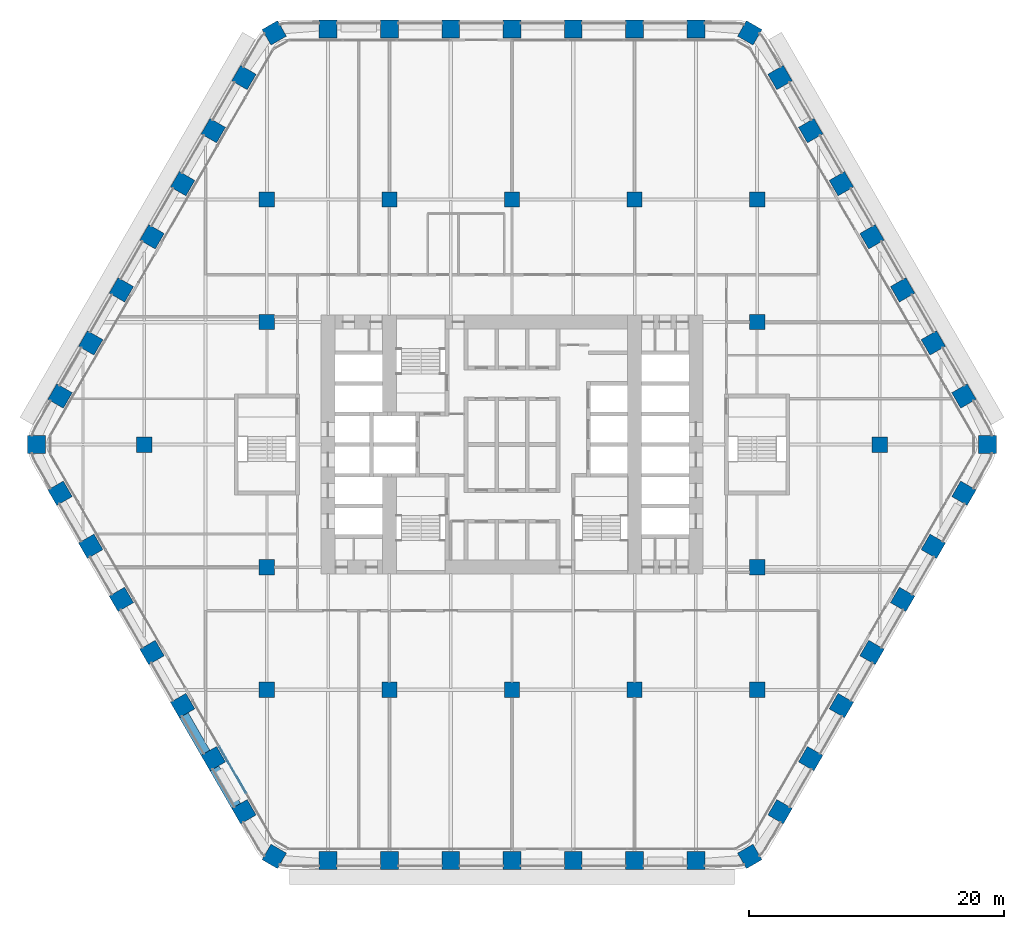
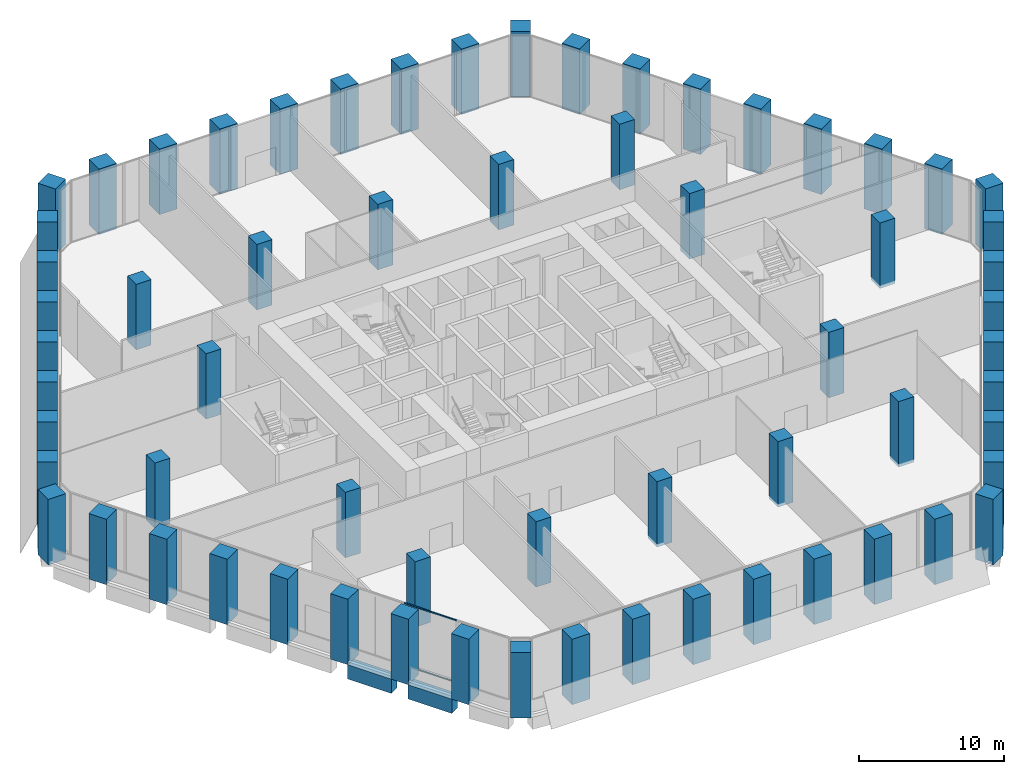
# One storey, part 1 of 27: 64 columns, 2 beams, 2 members, 1 element without a shape of its own.
"""IFC4 building model written with IfcOpenShell, lengths in metres."""

from ifc_helpers import new_model, si_unit, direction, frame, origin, origin_2d, place, context, subcontext, project, spatial, rectangle, extrude, material, material_profile, profile_set, type_object, element, aggregate, save


model = new_model("IFC4")

# Units and contexts
model_context = context("Model", 3, precision=1e-05, world=origin(), true_north=direction((0.0, 1.0)))
body_context = subcontext(model_context, "Body", "Model", "MODEL_VIEW")
ifc_project = project(units=[si_unit("LENGTHUNIT", "METRE"), si_unit("AREAUNIT", "SQUARE_METRE"), si_unit("VOLUMEUNIT", "CUBIC_METRE"), si_unit("PLANEANGLEUNIT", "RADIAN"), si_unit("MASSUNIT", "GRAM", prefix="KILO")], contexts=[model_context])

# Site, building, storey
site_placement = place(None, origin())
site = spatial("IfcSite", under=ifc_project, at=site_placement, CompositionType="ELEMENT")
building_placement = place(site_placement, origin())
building = spatial("IfcBuilding", under=site, at=building_placement, Name="Kolab Exchange Tower", CompositionType="ELEMENT")
storey_placement = place(building_placement, frame((0.0, 0.0, 49.89990234375)))
storey = spatial("IfcBuildingStorey", under=building, at=storey_placement, Name="L09", CompositionType="ELEMENT", Elevation=49.89990234375)

# Columns
ifc_material_1 = material(Name="Concrete C80/95", Category="concrete")
ifc_material_profile_1 = material_profile(ifc_material_1, rectangle(XDim=1.199951171875, YDim=1.199951171875, at=origin_2d()), Name="RC1200")
ifc_profile_set_1 = profile_set([ifc_material_profile_1], Name="Concrete C80/95")
column_type_1 = type_object("IfcColumnType", Name="INTERIOR COLUMN 1200 SQ C80/95", PredefinedType="COLUMN", material=ifc_profile_set_1)
for number, where, z_axis, x_axis, name in (
    (1, (-28.800048828125, 0.0, -0.25), (0.0, 0.0, 1.0), (1.0, 0.0, 0.0), "col/L09/I-G11"),
    (2, (-19.199951171875, -19.199951171875, -0.25), (0.0, 0.0, 1.0), (1.0, 0.0, 0.0), "col/L09/I-I7"),
    (3, (-19.199951171875, -9.60009765625, -0.25), (0.0, 0.0, 1.0), (1.0, 0.0, 0.0), "col/L09/I-I9"),
    (4, (-19.199951171875, 9.60009765625, -0.25), (0.0, 0.0, 1.0), (1.0, 0.0, 0.0), "col/L09/I-I13"),
    (5, (-19.199951171875, 19.199951171875, -0.25), (0.0, 0.0, 1.0), (1.0, 0.0, 0.0), "col/L09/I-I15"),
    (6, (-9.60009765625, -19.199951171875, -0.25), (0.0, 0.0, 1.0), (1.0, 0.0, 0.0), "col/L09/I-K7"),
    (7, (-9.60009765625, 19.199951171875, -0.25), (0.0, 0.0, 1.0), (1.0, 0.0, 0.0), "col/L09/I-K15"),
    (8, (0.0, -19.199951171875, -0.25), (0.0, 0.0, 1.0), (1.0, 0.0, 0.0), "col/L09/I-M7"),
    (9, (0.0, 19.199951171875, -0.25), (0.0, 0.0, 1.0), (1.0, 0.0, 0.0), "col/L09/I-M15"),
    (10, (9.60009765625, -19.199951171875, -0.25), (0.0, 0.0, 1.0), (1.0, 0.0, 0.0), "col/L09/I-O7"),
    (11, (9.60009765625, 19.199951171875, -0.25), (0.0, 0.0, 1.0), (1.0, 0.0, 0.0), "col/L09/I-O15"),
    (12, (19.199951171875, -19.199951171875, -0.25), (0.0, 0.0, 1.0), (1.0, 0.0, 0.0), "col/L09/I-Q7"),
    (13, (19.199951171875, -9.60009765625, -0.25), (0.0, 0.0, 1.0), (1.0, 0.0, 0.0), "col/L09/I-Q9"),
    (14, (19.199951171875, 9.60009765625, -0.25), (0.0, 0.0, 1.0), (1.0, 0.0, 0.0), "col/L09/I-Q13"),
    (15, (19.199951171875, 19.199951171875, -0.25), (0.0, 0.0, 1.0), (1.0, 0.0, 0.0), "col/L09/I-Q15"),
    (16, (28.800048828125, 0.0, -0.25), (0.0, 0.0, 1.0), (1.0, 0.0, 0.0), "col/L09/I-S11"),
):
    element("IfcColumn", number, at=place(storey_placement, frame(where, z_axis=z_axis, x_axis=x_axis)), inside=storey, type_object=column_type_1, Name=name, PredefinedType="COLUMN", context=body_context, shape_type="SweptSolid", body=[
        extrude(rectangle(XDim=1.199951171875, YDim=1.199951171875, at=origin_2d()), origin(), (0.0, 0.0, 1.0), 5.5),
    ])
ifc_material_profile_2 = material_profile(ifc_material_1, rectangle(XDim=1.39990234375, YDim=1.39990234375, at=origin_2d()), Name="RC1400")
ifc_profile_set_2 = profile_set([ifc_material_profile_2], Name="Concrete C80/95")
column_type_2 = type_object("IfcColumnType", Name="PERIMETER COLUMN 1400 SQ C80/95", PredefinedType="COLUMN", material=ifc_profile_set_2)
for number, where, z_axis, x_axis, name in (
    (17, (-18.617919921875, 32.247314453125, -0.25), (0.0, 0.0, 1.0), (0.866025403784, 0.5, 0.0), "col/L09/F1-01"),
    (18, (-14.39990234375, 32.555419921875, -0.25), (0.0, 0.0, 1.0), (1.0, 0.0, 0.0), "col/L09/F1-02"),
    (19, (-9.60009765625, 32.555419921875, -0.25), (0.0, 0.0, 1.0), (1.0, 0.0, 0.0), "col/L09/F1-03"),
    (20, (-4.800048828125, 32.555419921875, -0.25), (0.0, 0.0, 1.0), (1.0, 0.0, 0.0), "col/L09/F1-04"),
    (21, (0.0, 32.555419921875, -0.25), (0.0, 0.0, 1.0), (1.0, 0.0, 0.0), "col/L09/F1-05"),
    (22, (4.800048828125, 32.555419921875, -0.25), (0.0, 0.0, 1.0), (1.0, 0.0, 0.0), "col/L09/F1-06"),
    (23, (9.60009765625, 32.555419921875, -0.25), (0.0, 0.0, 1.0), (1.0, 0.0, 0.0), "col/L09/F1-07"),
    (24, (14.39990234375, 32.555419921875, -0.25), (0.0, 0.0, 1.0), (1.0, 0.0, 0.0), "col/L09/F1-08"),
    (25, (18.617919921875, 32.247314453125, -0.25), (0.0, 0.0, 1.0), (0.5, 0.866025403784, 0.0), "col/L09/F2-01"),
    (26, (20.993896484375, 28.74853515625, -0.25), (0.0, 0.0, 1.0), (0.866025403784, 0.5, 0.0), "col/L09/F2-02"),
    (27, (23.393798828125, 24.591552734375, -0.25), (0.0, 0.0, 1.0), (0.866025403784, 0.5, 0.0), "col/L09/F2-03"),
    (28, (25.793701171875, 20.4345703125, -0.25), (0.0, 0.0, 1.0), (0.866025403784, 0.5, 0.0), "col/L09/F2-04"),
    (29, (28.19384765625, 16.277587890625, -0.25), (0.0, 0.0, 1.0), (0.866025403784, 0.5, 0.0), "col/L09/F2-05"),
    (30, (30.59375, 12.120849609375, -0.25), (0.0, 0.0, 1.0), (0.866025403784, 0.5, 0.0), "col/L09/F2-06"),
    (31, (32.993896484375, 7.9638671875, -0.25), (0.0, 0.0, 1.0), (0.866025403784, 0.5, 0.0), "col/L09/F2-07"),
    (32, (35.393798828125, 3.806884765625, -0.25), (0.0, 0.0, 1.0), (0.866025403784, 0.5, 0.0), "col/L09/F2-08"),
    (33, (37.23583984375, 0.0, -0.25), (0.0, 0.0, 1.0), (1.0, 0.0, 0.0), "col/L09/F3-01"),
    (34, (35.393798828125, -3.806884765625, -0.25), (0.0, 0.0, 1.0), (0.5, 0.866025403784, 0.0), "col/L09/F3-02"),
    (35, (32.993896484375, -7.9638671875, -0.25), (0.0, 0.0, 1.0), (0.5, 0.866025403784, 0.0), "col/L09/F3-03"),
    (36, (30.59375, -12.120849609375, -0.25), (0.0, 0.0, 1.0), (0.5, 0.866025403784, 0.0), "col/L09/F3-04"),
    (37, (28.19384765625, -16.277587890625, -0.25), (0.0, 0.0, 1.0), (0.5, 0.866025403784, 0.0), "col/L09/F3-05"),
    (38, (25.793701171875, -20.4345703125, -0.25), (0.0, 0.0, 1.0), (0.5, 0.866025403784, 0.0), "col/L09/F3-06"),
    (39, (23.393798828125, -24.591552734375, -0.25), (0.0, 0.0, 1.0), (0.5, 0.866025403784, 0.0), "col/L09/F3-07"),
    (40, (20.993896484375, -28.74853515625, -0.25), (0.0, 0.0, 1.0), (0.5, 0.866025403784, 0.0), "col/L09/F3-08"),
    (41, (18.617919921875, -32.247314453125, -0.25), (0.0, 0.0, 1.0), (0.866025403784, 0.5, 0.0), "col/L09/F4-01"),
    (42, (14.39990234375, -32.555419921875, -0.25), (0.0, 0.0, 1.0), (1.0, 0.0, 0.0), "col/L09/F4-02"),
    (43, (9.60009765625, -32.555419921875, -0.25), (0.0, 0.0, 1.0), (1.0, 0.0, 0.0), "col/L09/F4-03"),
    (44, (4.800048828125, -32.555419921875, -0.25), (0.0, 0.0, 1.0), (1.0, 0.0, 0.0), "col/L09/F4-04"),
    (45, (0.0, -32.555419921875, -0.25), (0.0, 0.0, 1.0), (1.0, 0.0, 0.0), "col/L09/F4-05"),
    (46, (-4.800048828125, -32.555419921875, -0.25), (0.0, 0.0, 1.0), (1.0, 0.0, 0.0), "col/L09/F4-06"),
    (47, (-9.60009765625, -32.555419921875, -0.25), (0.0, 0.0, 1.0), (1.0, 0.0, 0.0), "col/L09/F4-07"),
    (48, (-14.39990234375, -32.555419921875, -0.25), (0.0, 0.0, 1.0), (1.0, 0.0, 0.0), "col/L09/F4-08"),
    (49, (-18.617919921875, -32.247314453125, -0.25), (0.0, 0.0, 1.0), (0.5, 0.866025403784, 0.0), "col/L09/F5-01"),
    (50, (-20.993896484375, -28.74853515625, -0.25), (0.0, 0.0, 1.0), (0.866025403784, 0.5, 0.0), "col/L09/F5-02"),
    (51, (-23.393798828125, -24.591552734375, -0.25), (0.0, 0.0, 1.0), (0.866025403784, 0.5, 0.0), "col/L09/F5-03"),
    (52, (-25.793701171875, -20.4345703125, -0.25), (0.0, 0.0, 1.0), (0.866025403784, 0.5, 0.0), "col/L09/F5-04"),
    (53, (-28.19384765625, -16.277587890625, -0.25), (0.0, 0.0, 1.0), (0.866025403784, 0.5, 0.0), "col/L09/F5-05"),
    (54, (-30.59375, -12.120849609375, -0.25), (0.0, 0.0, 1.0), (0.866025403784, 0.5, 0.0), "col/L09/F5-06"),
    (55, (-32.993896484375, -7.9638671875, -0.25), (0.0, 0.0, 1.0), (0.866025403784, 0.5, 0.0), "col/L09/F5-07"),
    (56, (-35.393798828125, -3.806884765625, -0.25), (0.0, 0.0, 1.0), (0.866025403784, 0.5, 0.0), "col/L09/F5-08"),
    (57, (-37.23583984375, 0.0, -0.25), (0.0, 0.0, 1.0), (1.0, 0.0, 0.0), "col/L09/F6-01"),
    (58, (-35.393798828125, 3.806884765625, -0.25), (0.0, 0.0, 1.0), (0.5, 0.866025403784, 0.0), "col/L09/F6-02"),
    (59, (-32.993896484375, 7.9638671875, -0.25), (0.0, 0.0, 1.0), (0.5, 0.866025403784, 0.0), "col/L09/F6-03"),
    (60, (-30.59375, 12.120849609375, -0.25), (0.0, 0.0, 1.0), (0.5, 0.866025403784, 0.0), "col/L09/F6-04"),
    (61, (-28.19384765625, 16.277587890625, -0.25), (0.0, 0.0, 1.0), (0.5, 0.866025403784, 0.0), "col/L09/F6-05"),
    (62, (-25.793701171875, 20.4345703125, -0.25), (0.0, 0.0, 1.0), (0.5, 0.866025403784, 0.0), "col/L09/F6-06"),
    (63, (-23.393798828125, 24.591552734375, -0.25), (0.0, 0.0, 1.0), (0.5, 0.866025403784, 0.0), "col/L09/F6-07"),
    (64, (-20.993896484375, 28.74853515625, -0.25), (0.0, 0.0, 1.0), (0.5, 0.866025403784, 0.0), "col/L09/F6-08"),
):
    element("IfcColumn", number, at=place(storey_placement, frame(where, z_axis=z_axis, x_axis=x_axis)), inside=storey, type_object=column_type_2, Name=name, PredefinedType="COLUMN", context=body_context, shape_type="SweptSolid", body=[
        extrude(rectangle(XDim=1.39990234375, YDim=1.39990234375, at=origin_2d()), origin(), (0.0, 0.0, 1.0), 5.5),
    ])

# Beams
ifc_material_profile_3 = material_profile(ifc_material_1, rectangle(XDim=0.800048828125, YDim=1.199951171875, at=origin_2d()), Name="RC800X1200")
ifc_profile_set_3 = profile_set([ifc_material_profile_3], Name="Concrete C80/95")
beam_type = type_object("IfcBeamType", Name="SPANDREL BEAM 800X1200 C80/95", PredefinedType="BEAM", material=ifc_profile_set_3)
beam_1_placement = place(storey_placement, frame((-21.58349609375, -28.326904296875, -0.849853515625), z_axis=(-0.499979528911, 0.866037222451, 0.0), x_axis=(-0.866037222451, -0.499979528911, 0.0)))
element("IfcBeam", 65, at=beam_1_placement, inside=storey, type_object=beam_type, Name="beam/L09/sp/F5-02", PredefinedType="BEAM", context=body_context, shape_type="SweptSolid", body=[
    extrude(rectangle(XDim=0.800048828125, YDim=1.199951171875, at=origin_2d()), origin(), (0.0, 0.0, 1.0), 3.480224609375),
])
beam_2_placement = place(storey_placement, frame((-23.983642578125, -24.169921875, -0.849853515625), z_axis=(-0.500009906705, 0.86601968407, 0.0), x_axis=(-0.86601968407, -0.500009906705, 0.0)))
element("IfcBeam", 66, at=beam_2_placement, inside=storey, type_object=beam_type, Name="beam/L09/sp/F5-03", PredefinedType="BEAM", context=body_context, shape_type="SweptSolid", body=[
    extrude(rectangle(XDim=0.800048828125, YDim=1.199951171875, at=origin_2d()), origin(), (0.0, 0.0, 1.0), 3.47998046875),
])

# Curtain wall, members
ifc_material_2 = material(Name="Aluminium EN AW-6063 T6", Category="aluminium")
curtain_wall_type = type_object("IfcCurtainWallType", Name="UNITISED LOW ZONE CURTAIN WALL", PredefinedType="NOTDEFINED", material=ifc_material_2)
curtain_wall_placement = place(storey_placement, origin())
curtain_wall = element("IfcCurtainWall", 67, at=curtain_wall_placement, inside=storey, type_object=curtain_wall_type, Name="cw/L09/F5-1", PredefinedType="NOTDEFINED")
ifc_material_profile_4 = material_profile(ifc_material_2, rectangle(XDim=0.06005859375, YDim=0.10009765625, at=origin_2d()), Name="RECT 60X100")
ifc_profile_set_4 = profile_set([ifc_material_profile_4], Name="Aluminium EN AW-6063 T6")
member_type = type_object("IfcMemberType", Name="UNITISED LOW ZONE TRANSOM 60 X 100", PredefinedType="USERDEFINED", material=ifc_profile_set_4)
member_1_placement = place(storey_placement, frame((-20.823974609375, -27.282470703125, 0.030029296875), z_axis=(-0.49999322259, 0.866029316688, 0.0), x_axis=(-0.866029316688, -0.49999322259, 0.0)))
member_1 = element("IfcMember", 68, at=member_1_placement, type_object=member_type, Name="CW1 transom 2.1", ObjectType="TRANSOM", PredefinedType="USERDEFINED", context=body_context, shape_type="SweptSolid", body=[
    extrude(rectangle(XDim=0.06005859375, YDim=0.10009765625, at=origin_2d()), origin(), (0.0, 0.0, 1.0), 4.16259765625),
])
member_2_placement = place(storey_placement, frame((-20.823974609375, -27.282470703125, 5.22021484375), z_axis=(-0.49999322259, 0.866029316688, 0.0), x_axis=(-0.866029316688, -0.49999322259, 0.0)))
member_2 = element("IfcMember", 69, at=member_2_placement, type_object=member_type, Name="CW1 transom 2.2", ObjectType="TRANSOM", PredefinedType="USERDEFINED", context=body_context, shape_type="SweptSolid", body=[
    extrude(rectangle(XDim=0.06005859375, YDim=0.10009765625, at=origin_2d()), origin(), (0.0, 0.0, 1.0), 4.16259765625),
])
aggregate(curtain_wall, [member_1, member_2])

save(model, "model.ifc")
